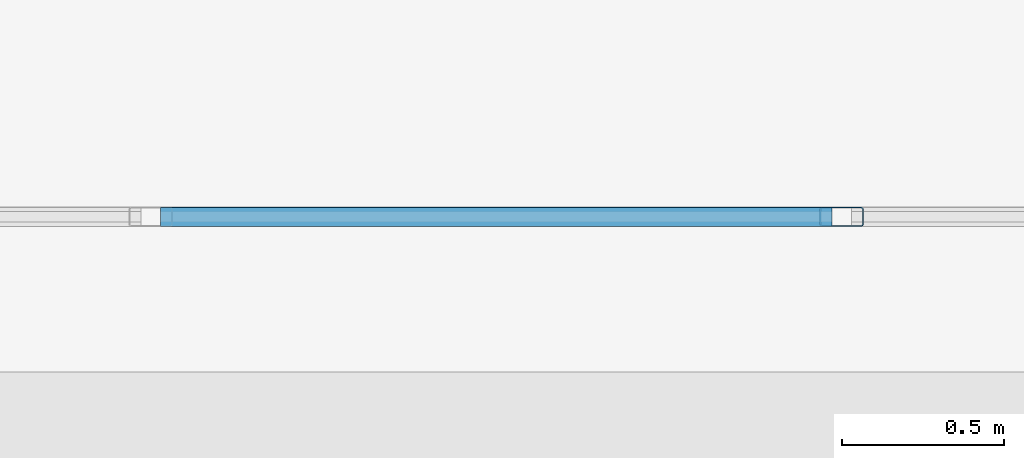
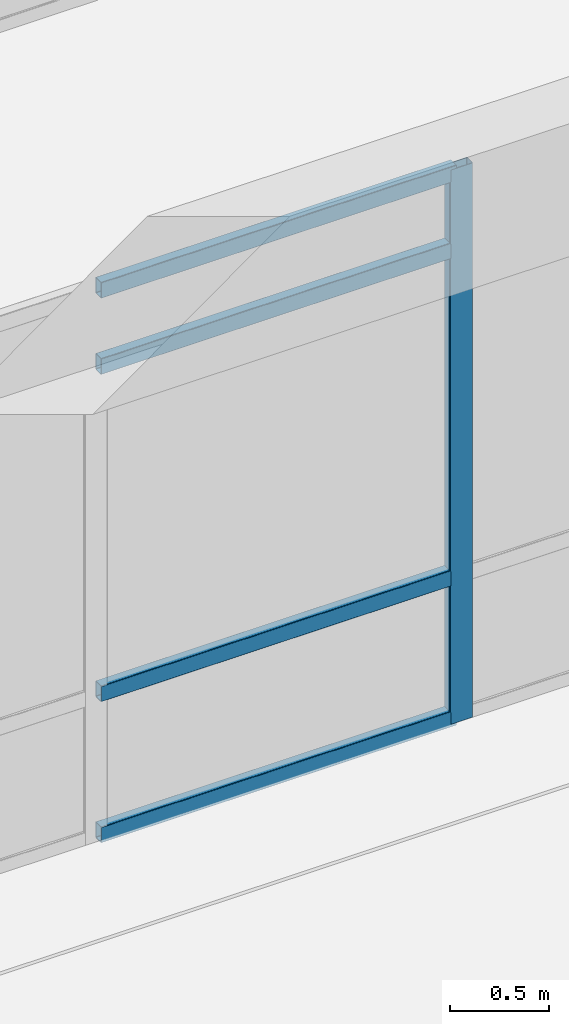
# One storey, part 96 of 196: 5 members, 1 element without a shape of its own.
"""IFC4 building model written with IfcOpenShell, lengths in metres."""

from ifc_helpers import new_model, si_unit, direction, frame, origin, origin_2d, place, context, subcontext, project, spatial, hollow_rectangle, extrude, material, layer, layer_set, material_profile, profile_set, type_object, element, aggregate, save


model = new_model("IFC4")

# Units and contexts
model_context = context("Model", 3, precision=1e-05, world=origin(), true_north=direction((0.0, 1.0)))
body_context = subcontext(model_context, "Body", "Model", "MODEL_VIEW")
ifc_project = project(units=[si_unit("LENGTHUNIT", "METRE"), si_unit("AREAUNIT", "SQUARE_METRE"), si_unit("VOLUMEUNIT", "CUBIC_METRE"), si_unit("PLANEANGLEUNIT", "RADIAN"), si_unit("MASSUNIT", "GRAM", prefix="KILO")], contexts=[model_context])

# Site, building, storey
site_placement = place(None, origin())
site = spatial("IfcSite", under=ifc_project, at=site_placement, CompositionType="ELEMENT")
building_placement = place(site_placement, origin())
building = spatial("IfcBuilding", under=site, at=building_placement, Name="Asteropetra Specialist Clinic", CompositionType="ELEMENT")
storey_placement = place(building_placement, origin())
storey = spatial("IfcBuildingStorey", under=building, at=storey_placement, Name="L00", CompositionType="ELEMENT", Elevation=0.0)

# Curtain wall, members
ifc_material_1 = material(Name="Aluminium and low-E glass", Category="aluminium")
ifc_layer = layer(ifc_material_1, 0.179931640625)
ifc_layer_set = layer_set([ifc_layer], Name="Aluminium and low-E glass")
curtain_wall_type = type_object("IfcCurtainWallType", Name="CW-SYS-10", PredefinedType="USERDEFINED", material=ifc_layer_set)
curtain_wall_placement = place(storey_placement, origin())
curtain_wall = element("IfcCurtainWall", 1, at=curtain_wall_placement, inside=storey, type_object=curtain_wall_type, Name="Curtain Wall CW-185", ObjectType="STICK GLAZED COLONNADE", PredefinedType="USERDEFINED")
ifc_material_2 = material(Name="Aluminium 6063-T6", Category="aluminium")
ifc_material_profile_1 = material_profile(ifc_material_2, hollow_rectangle(XDim=0.06005859375, YDim=0.135009765625, WallThickness=0.00341796875, InnerFilletRadius=0.00341796875, OuterFilletRadius=0.007080078125, at=origin_2d()), Name="MUL 135x60x3.5")
ifc_profile_set_1 = profile_set([ifc_material_profile_1], Name="Aluminium 6063-T6")
member_type_1 = type_object("IfcMemberType", Name="CWM-135x60", PredefinedType="MULLION", material=ifc_profile_set_1)
member_1_placement = place(storey_placement, frame((62.39990234375, 70.3798828125, 0.0), z_axis=(0.0, 0.0, 1.0), x_axis=(0.0, 1.0, 0.0)))
member_1 = element("IfcMember", 2, at=member_1_placement, type_object=member_type_1, Name="CW-185 mullion 3", PredefinedType="MULLION", context=body_context, shape_type="SweptSolid", body=[
    extrude(hollow_rectangle(XDim=0.06005859375, YDim=0.135009765625, WallThickness=0.00341796875, InnerFilletRadius=0.00341796875, OuterFilletRadius=0.007080078125, at=origin_2d()), origin(), (0.0, 0.0, 1.0), 3.419921875),
])
ifc_material_3 = material(Name="Aluminium 6063-T6", Category="aluminium")
ifc_material_profile_2 = material_profile(ifc_material_3, hollow_rectangle(XDim=0.06005859375, YDim=0.10009765625, WallThickness=0.00341796875, InnerFilletRadius=0.00341796875, OuterFilletRadius=0.007080078125, at=origin_2d()), Name="TRN 100x60x3.5")
ifc_profile_set_2 = profile_set([ifc_material_profile_2], Name="Aluminium 6063-T6")
member_type_2 = type_object("IfcMemberType", Name="CWT-100x60", PredefinedType="USERDEFINED", material=ifc_profile_set_2)
member_2_placement = place(storey_placement, frame((60.297607421875, 70.3798828125, 0.030029296875), z_axis=(1.0, 0.0, 0.0), x_axis=(0.0, 1.0, 0.0)))
member_2 = element("IfcMember", 3, at=member_2_placement, type_object=member_type_2, Name="CW-185 transom 2.1", ObjectType="TRANSOM", PredefinedType="USERDEFINED", context=body_context, shape_type="SweptSolid", body=[
    extrude(hollow_rectangle(XDim=0.06005859375, YDim=0.10009765625, WallThickness=0.00341796875, InnerFilletRadius=0.00341796875, OuterFilletRadius=0.007080078125, at=origin_2d()), origin(), (0.0, 0.0, 1.0), 2.072509765625),
])
member_3_placement = place(storey_placement, frame((60.297607421875, 70.3798828125, 0.89990234375), z_axis=(1.0, 0.0, 0.0), x_axis=(0.0, 1.0, 0.0)))
member_3 = element("IfcMember", 4, at=member_3_placement, type_object=member_type_2, Name="CW-185 transom 2.2", ObjectType="TRANSOM", PredefinedType="USERDEFINED", context=body_context, shape_type="SweptSolid", body=[
    extrude(hollow_rectangle(XDim=0.06005859375, YDim=0.10009765625, WallThickness=0.00341796875, InnerFilletRadius=0.00341796875, OuterFilletRadius=0.007080078125, at=origin_2d()), origin(), (0.0, 0.0, 1.0), 2.072509765625),
])
member_4_placement = place(storey_placement, frame((60.297607421875, 70.3798828125, 2.919921875), z_axis=(1.0, 0.0, 0.0), x_axis=(0.0, 1.0, 0.0)))
member_4 = element("IfcMember", 5, at=member_4_placement, type_object=member_type_2, Name="CW-185 transom 2.3", ObjectType="TRANSOM", PredefinedType="USERDEFINED", context=body_context, shape_type="SweptSolid", body=[
    extrude(hollow_rectangle(XDim=0.06005859375, YDim=0.10009765625, WallThickness=0.00341796875, InnerFilletRadius=0.00341796875, OuterFilletRadius=0.007080078125, at=origin_2d()), origin(), (0.0, 0.0, 1.0), 2.072509765625),
])
member_5_placement = place(storey_placement, frame((60.297607421875, 70.3798828125, 3.389892578125), z_axis=(1.0, 0.0, 0.0), x_axis=(0.0, 1.0, 0.0)))
member_5 = element("IfcMember", 6, at=member_5_placement, type_object=member_type_2, Name="CW-185 transom 2.4", ObjectType="TRANSOM", PredefinedType="USERDEFINED", context=body_context, shape_type="SweptSolid", body=[
    extrude(hollow_rectangle(XDim=0.06005859375, YDim=0.10009765625, WallThickness=0.00341796875, InnerFilletRadius=0.00341796875, OuterFilletRadius=0.007080078125, at=origin_2d()), origin(), (0.0, 0.0, 1.0), 2.072509765625),
])
aggregate(curtain_wall, [member_1, member_2, member_3, member_4, member_5])

save(model, "model.ifc")
